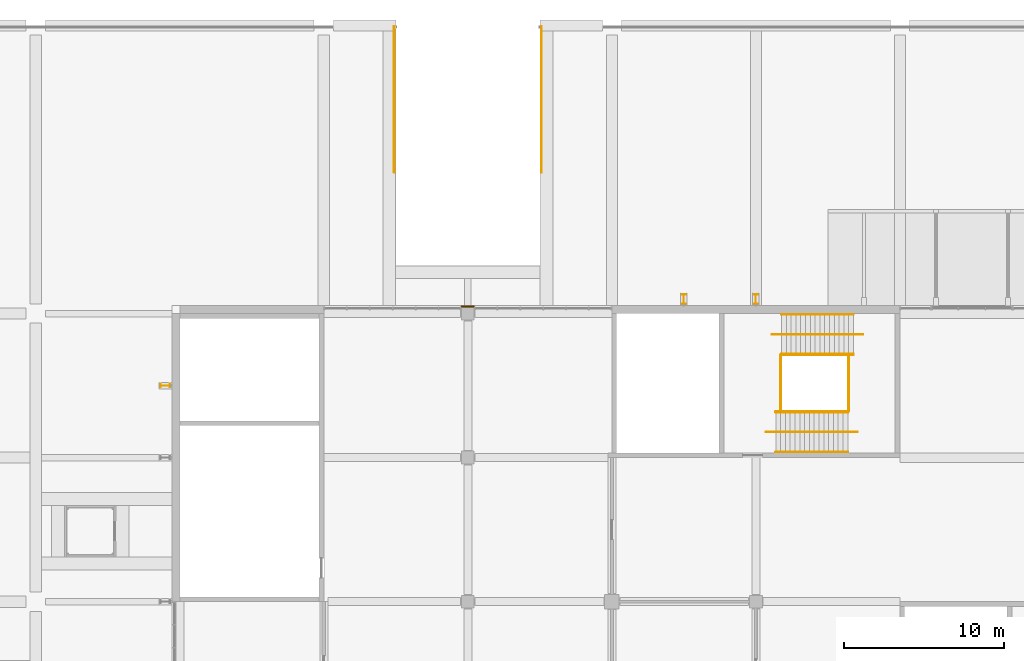
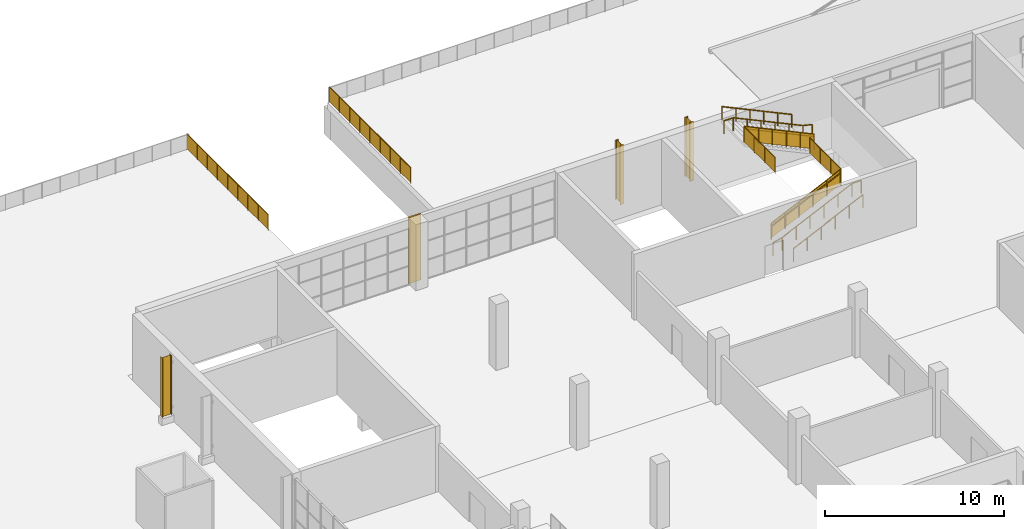
# One storey, part 160 of 168: 12 railings, 3 shading devices, 1 covering.
"""IFC4 building model written with IfcOpenShell, lengths in metres."""

from ifc_helpers import new_model, si_unit, direction, frame, origin, origin_2d, place, context, subcontext, project, spatial, polyline, circle, i_section, outline, extrude, material, layer, layer_set, material_profile, profile_set, type_object, element, save


model = new_model("IFC4")

# Units and contexts
model_context = context("Model", 3, precision=1e-05, world=origin(), true_north=direction((0.0, 1.0)))
body_context = subcontext(model_context, "Body", "Model", "MODEL_VIEW")
ifc_project = project(units=[si_unit("LENGTHUNIT", "METRE"), si_unit("AREAUNIT", "SQUARE_METRE"), si_unit("VOLUMEUNIT", "CUBIC_METRE"), si_unit("PLANEANGLEUNIT", "RADIAN"), si_unit("MASSUNIT", "GRAM", prefix="KILO")], contexts=[model_context])

# Site, building, storey
site_placement = place(None, origin())
site = spatial("IfcSite", under=ifc_project, at=site_placement, CompositionType="ELEMENT")
building_placement = place(site_placement, origin())
building = spatial("IfcBuilding", under=site, at=building_placement, Name="Silverbay Arena", CompositionType="ELEMENT")
storey_placement = place(building_placement, frame((0.0, 0.0, 7.0)))
storey = spatial("IfcBuildingStorey", under=building, at=storey_placement, Name="L01", CompositionType="ELEMENT", Elevation=7.0)

# Covering
ifc_material_1 = material(Name="Aluminium composite cladding", Category="aluminium")
ifc_layer = layer(ifc_material_1, 0.10009765625)
ifc_layer_set = layer_set([ifc_layer], Name="Aluminium composite cladding")
covering_type = type_object("IfcCoveringType", Name="Column cladding 100", PredefinedType="CLADDING", material=ifc_layer_set)
covering_placement = place(storey_placement, origin())
element("IfcCovering", 1, at=covering_placement, inside=storey, type_object=covering_type, Name="North column cladding L01 60", PredefinedType="CLADDING", context=body_context, shape_type="SweptSolid", body=[
    extrude(outline(polyline([(44.60009765625, 144.39990234375), (45.39990234375, 144.39990234375), (45.39990234375, 144.5), (44.60009765625, 144.5), (44.60009765625, 144.39990234375)])), origin(), (0.0, 0.0, 1.0), 4.5),
])

# Railings
ifc_material_2 = material(Name="Stainless steel", Category="steel")
railing_type_1 = type_object("IfcRailingType", Name="Stair guard 1100", PredefinedType="GUARDRAIL", material=ifc_material_2)
railing_1_placement = place(storey_placement, frame((64.24658203125, 137.875, 0.140625)))
element("IfcRailing", 2, at=railing_1_placement, inside=storey, type_object=railing_type_1, Name="Stair ST-N5 L01 to L02 flight 1 guard right", PredefinedType="GUARDRAIL", context=body_context, shape_type="SweptSolid", body=[
    extrude(circle(Radius=0.02392578125, at=origin_2d()), frame((0.0, 0.0, 1.076171875), z_axis=(0.905458935959, 0.0, 0.424433876231), x_axis=(0.0, 1.0, 0.0)), (0.0, 0.0, 1.0), 4.969970703125),
    extrude(outline(polyline([(-0.008056640625, 0.046142578125), (0.907958984375, 0.4755859375), (0.907958984375, 1.478515625), (-0.008056640625, 1.04931640625), (-0.008056640625, 0.046142578125)])), frame((0.0, 0.0029296875, 0.0), z_axis=(0.0, -1.0, 0.0), x_axis=(1.0, 0.0, 0.0)), (0.0, 0.0, 1.0), 0.006103515625),
    extrude(outline(polyline([(-0.008056640625, 0.468017578125), (0.907958984375, 0.8974609375), (0.907958984375, 1.900390625), (-0.008056640625, 1.47119140625), (-0.008056640625, 0.468017578125)])), frame((0.89990234375, 0.0029296875, 0.0), z_axis=(0.0, -1.0, 0.0), x_axis=(1.0, 0.0, 0.0)), (0.0, 0.0, 1.0), 0.006103515625),
    extrude(outline(polyline([(-0.008056640625, 0.889892578125), (0.907958984375, 1.3193359375), (0.907958984375, 2.322265625), (-0.008056640625, 1.89306640625), (-0.008056640625, 0.889892578125)])), frame((1.800048828125, 0.0029296875, 0.0), z_axis=(0.0, -1.0, 0.0), x_axis=(1.0, 0.0, 0.0)), (0.0, 0.0, 1.0), 0.006103515625),
    extrude(outline(polyline([(-0.008056640625, 1.311767578125), (0.907958984375, 1.7412109375), (0.907958984375, 2.744140625), (-0.008056640625, 2.31494140625), (-0.008056640625, 1.311767578125)])), frame((2.699951171875, 0.0029296875, 0.0), z_axis=(0.0, -1.0, 0.0), x_axis=(1.0, 0.0, 0.0)), (0.0, 0.0, 1.0), 0.006103515625),
    extrude(outline(polyline([(-0.008056640625, 1.733642578125), (0.907958984375, 2.1630859375), (0.907958984375, 3.166015625), (-0.008056640625, 2.73681640625), (-0.008056640625, 1.733642578125)])), frame((3.60009765625, 0.0029296875, 0.0), z_axis=(0.0, -1.0, 0.0), x_axis=(1.0, 0.0, 0.0)), (0.0, 0.0, 1.0), 0.006103515625),
    extrude(circle(Radius=0.02099609375, at=origin_2d()), origin(), (0.0, 0.0, 1.0), 1.052001953125),
    extrude(circle(Radius=0.02099609375, at=origin_2d()), frame((0.89990234375, 0.0, 0.421875)), (0.0, 0.0, 1.0), 1.052001953125),
    extrude(circle(Radius=0.02099609375, at=origin_2d()), frame((1.800048828125, 0.0, 0.84375)), (0.0, 0.0, 1.0), 1.052001953125),
    extrude(circle(Radius=0.02099609375, at=origin_2d()), frame((2.699951171875, 0.0, 1.265625)), (0.0, 0.0, 1.0), 1.052001953125),
    extrude(circle(Radius=0.02099609375, at=origin_2d()), frame((3.60009765625, 0.0, 1.6875)), (0.0, 0.0, 1.0), 1.052001953125),
    extrude(circle(Radius=0.02099609375, at=origin_2d()), frame((4.5, 0.0, 2.109375)), (0.0, 0.0, 1.0), 1.052001953125),
])
railing_2_placement = place(storey_placement, frame((69.10009765625, 141.425048828125, 2.390625)))
element("IfcRailing", 3, at=railing_2_placement, inside=storey, type_object=railing_type_1, Name="Stair ST-N5 L01 to L02 flight 2 guard left", PredefinedType="GUARDRAIL", context=body_context, shape_type="SweptSolid", body=[
    extrude(circle(Radius=0.02392578125, at=origin_2d()), frame((0.0, 0.0, 1.076171875), z_axis=(-0.905458935959, 0.0, 0.424433876231), x_axis=(0.0, -1.0, 0.0)), (0.0, 0.0, 1.0), 4.969970703125),
    extrude(outline(polyline([(-0.008056640625, 0.046142578125), (0.907958984375, 0.4755859375), (0.907958984375, 1.478515625), (-0.008056640625, 1.04931640625), (-0.008056640625, 0.046142578125)])), frame((0.0, -0.0029296875, 0.0), z_axis=(0.0, 1.0, 0.0), x_axis=(-1.0, 0.0, 0.0)), (0.0, 0.0, 1.0), 0.006103515625),
    extrude(outline(polyline([(-0.008056640625, 0.468017578125), (0.907958984375, 0.8974609375), (0.907958984375, 1.900390625), (-0.008056640625, 1.47119140625), (-0.008056640625, 0.468017578125)])), frame((-0.89990234375, -0.0029296875, 0.0), z_axis=(0.0, 1.0, 0.0), x_axis=(-1.0, 0.0, 0.0)), (0.0, 0.0, 1.0), 0.006103515625),
    extrude(outline(polyline([(-0.008056640625, 0.889892578125), (0.907958984375, 1.3193359375), (0.907958984375, 2.322265625), (-0.008056640625, 1.89306640625), (-0.008056640625, 0.889892578125)])), frame((-1.800048828125, -0.0029296875, 0.0), z_axis=(0.0, 1.0, 0.0), x_axis=(-1.0, 0.0, 0.0)), (0.0, 0.0, 1.0), 0.006103515625),
    extrude(outline(polyline([(-0.008056640625, 1.311767578125), (0.907958984375, 1.7412109375), (0.907958984375, 2.744140625), (-0.008056640625, 2.31494140625), (-0.008056640625, 1.311767578125)])), frame((-2.699951171875, -0.0029296875, 0.0), z_axis=(0.0, 1.0, 0.0), x_axis=(-1.0, 0.0, 0.0)), (0.0, 0.0, 1.0), 0.006103515625),
    extrude(outline(polyline([(-0.008056640625, 1.733642578125), (0.907958984375, 2.1630859375), (0.907958984375, 3.166015625), (-0.008056640625, 2.73681640625), (-0.008056640625, 1.733642578125)])), frame((-3.60009765625, -0.0029296875, 0.0), z_axis=(0.0, 1.0, 0.0), x_axis=(-1.0, 0.0, 0.0)), (0.0, 0.0, 1.0), 0.006103515625),
    extrude(circle(Radius=0.02099609375, at=origin_2d()), origin(), (0.0, 0.0, 1.0), 1.052001953125),
    extrude(circle(Radius=0.02099609375, at=origin_2d()), frame((-0.89990234375, 0.0, 0.421875)), (0.0, 0.0, 1.0), 1.052001953125),
    extrude(circle(Radius=0.02099609375, at=origin_2d()), frame((-1.800048828125, 0.0, 0.84375)), (0.0, 0.0, 1.0), 1.052001953125),
    extrude(circle(Radius=0.02099609375, at=origin_2d()), frame((-2.699951171875, 0.0, 1.265625)), (0.0, 0.0, 1.0), 1.052001953125),
    extrude(circle(Radius=0.02099609375, at=origin_2d()), frame((-3.60009765625, 0.0, 1.6875)), (0.0, 0.0, 1.0), 1.052001953125),
    extrude(circle(Radius=0.02099609375, at=origin_2d()), frame((-4.5, 0.0, 2.109375)), (0.0, 0.0, 1.0), 1.052001953125),
])
for number, where, name in (
    (4, (68.796630859375, 137.89990234375, 2.25), "Stair ST-N5 L01 to L02 landing 1 guard"),
    (5, (64.550048828125, 137.89990234375, 4.5), "Stair ST-N5 L01 to L02 landing 2 guard"),
):
    element("IfcRailing", number, at=place(storey_placement, frame(where)), inside=storey, type_object=railing_type_1, Name=name, PredefinedType="GUARDRAIL", context=body_context, shape_type="SweptSolid", body=[
        extrude(circle(Radius=0.02392578125, at=origin_2d()), frame((0.0, 0.0, 1.076171875), z_axis=(0.0, 1.0, 0.0), x_axis=(-1.0, 0.0, 0.0)), (0.0, 0.0, 1.0), 3.5),
        extrude(outline(polyline([(-0.008056640625, 0.050048828125), (1.174560546875, 0.050048828125), (1.174560546875, 1.052978515625), (-0.008056640625, 1.052978515625), (-0.008056640625, 0.050048828125)])), frame((-0.0029296875, 0.0, 0.0), z_axis=(1.0, 0.0, 0.0), x_axis=(0.0, 1.0, 0.0)), (0.0, 0.0, 1.0), 0.006103515625),
        extrude(outline(polyline([(-0.008056640625, 0.050048828125), (1.174560546875, 0.050048828125), (1.174560546875, 1.052978515625), (-0.008056640625, 1.052978515625), (-0.008056640625, 0.050048828125)])), frame((-0.0029296875, 1.166748046875, 0.0), z_axis=(1.0, 0.0, 0.0), x_axis=(0.0, 1.0, 0.0)), (0.0, 0.0, 1.0), 0.006103515625),
        extrude(outline(polyline([(-0.008056640625, 0.050048828125), (1.174560546875, 0.050048828125), (1.174560546875, 1.052978515625), (-0.008056640625, 1.052978515625), (-0.008056640625, 0.050048828125)])), frame((-0.0029296875, 2.333251953125, 0.0), z_axis=(1.0, 0.0, 0.0), x_axis=(0.0, 1.0, 0.0)), (0.0, 0.0, 1.0), 0.006103515625),
        extrude(circle(Radius=0.02099609375, at=origin_2d()), origin(), (0.0, 0.0, 1.0), 1.052001953125),
        extrude(circle(Radius=0.02099609375, at=origin_2d()), frame((0.0, 1.166748046875, 0.0)), (0.0, 0.0, 1.0), 1.052001953125),
        extrude(circle(Radius=0.02099609375, at=origin_2d()), frame((0.0, 2.333251953125, 0.0)), (0.0, 0.0, 1.0), 1.052001953125),
        extrude(circle(Radius=0.02099609375, at=origin_2d()), frame((0.0, 3.5, 0.0)), (0.0, 0.0, 1.0), 1.052001953125),
    ])
railing_3_placement = place(storey_placement, frame((40.39990234375, 161.949951171875, 0.0)))
element("IfcRailing", 6, at=railing_3_placement, inside=storey, type_object=railing_type_1, Name="Deck stair DS4 well edge guard left", PredefinedType="GUARDRAIL", context=body_context, shape_type="SweptSolid", body=[
    extrude(circle(Radius=0.02392578125, at=origin_2d()), frame((0.0, 0.0, 1.076171875), z_axis=(0.0, -1.0, 0.0), x_axis=(1.0, 0.0, 0.0)), (0.0, 0.0, 1.0), 9.112060546875),
    extrude(outline(polyline([(-0.008056640625, 0.050048828125), (1.14697265625, 0.050048828125), (1.14697265625, 1.052978515625), (-0.008056640625, 1.052978515625), (-0.008056640625, 0.050048828125)])), frame((0.0029296875, 0.0, 0.0), z_axis=(-1.0, 0.0, 0.0), x_axis=(0.0, -1.0, 0.0)), (0.0, 0.0, 1.0), 0.006103515625),
    extrude(outline(polyline([(-0.008056640625, 0.050048828125), (1.14697265625, 0.050048828125), (1.14697265625, 1.052978515625), (-0.008056640625, 1.052978515625), (-0.008056640625, 0.050048828125)])), frame((0.0029296875, -1.138916015625, 0.0), z_axis=(-1.0, 0.0, 0.0), x_axis=(0.0, -1.0, 0.0)), (0.0, 0.0, 1.0), 0.006103515625),
    extrude(outline(polyline([(-0.008056640625, 0.050048828125), (1.14697265625, 0.050048828125), (1.14697265625, 1.052978515625), (-0.008056640625, 1.052978515625), (-0.008056640625, 0.050048828125)])), frame((0.0029296875, -2.278076171875, 0.0), z_axis=(-1.0, 0.0, 0.0), x_axis=(0.0, -1.0, 0.0)), (0.0, 0.0, 1.0), 0.006103515625),
    extrude(outline(polyline([(-0.008056640625, 0.050048828125), (1.14697265625, 0.050048828125), (1.14697265625, 1.052978515625), (-0.008056640625, 1.052978515625), (-0.008056640625, 0.050048828125)])), frame((0.0029296875, -3.4169921875, 0.0), z_axis=(-1.0, 0.0, 0.0), x_axis=(0.0, -1.0, 0.0)), (0.0, 0.0, 1.0), 0.006103515625),
    extrude(outline(polyline([(-0.008056640625, 0.050048828125), (1.14697265625, 0.050048828125), (1.14697265625, 1.052978515625), (-0.008056640625, 1.052978515625), (-0.008056640625, 0.050048828125)])), frame((0.0029296875, -4.55615234375, 0.0), z_axis=(-1.0, 0.0, 0.0), x_axis=(0.0, -1.0, 0.0)), (0.0, 0.0, 1.0), 0.006103515625),
    extrude(outline(polyline([(-0.008056640625, 0.050048828125), (1.14697265625, 0.050048828125), (1.14697265625, 1.052978515625), (-0.008056640625, 1.052978515625), (-0.008056640625, 0.050048828125)])), frame((0.0029296875, -5.695068359375, 0.0), z_axis=(-1.0, 0.0, 0.0), x_axis=(0.0, -1.0, 0.0)), (0.0, 0.0, 1.0), 0.006103515625),
    extrude(outline(polyline([(-0.008056640625, 0.050048828125), (1.14697265625, 0.050048828125), (1.14697265625, 1.052978515625), (-0.008056640625, 1.052978515625), (-0.008056640625, 0.050048828125)])), frame((0.0029296875, -6.833984375, 0.0), z_axis=(-1.0, 0.0, 0.0), x_axis=(0.0, -1.0, 0.0)), (0.0, 0.0, 1.0), 0.006103515625),
    extrude(outline(polyline([(-0.008056640625, 0.050048828125), (1.14697265625, 0.050048828125), (1.14697265625, 1.052978515625), (-0.008056640625, 1.052978515625), (-0.008056640625, 0.050048828125)])), frame((0.0029296875, -7.97314453125, 0.0), z_axis=(-1.0, 0.0, 0.0), x_axis=(0.0, -1.0, 0.0)), (0.0, 0.0, 1.0), 0.006103515625),
    extrude(circle(Radius=0.02099609375, at=origin_2d()), origin(), (0.0, 0.0, 1.0), 1.052001953125),
    extrude(circle(Radius=0.02099609375, at=origin_2d()), frame((0.0, -1.138916015625, 0.0)), (0.0, 0.0, 1.0), 1.052001953125),
    extrude(circle(Radius=0.02099609375, at=origin_2d()), frame((0.0, -2.278076171875, 0.0)), (0.0, 0.0, 1.0), 1.052001953125),
    extrude(circle(Radius=0.02099609375, at=origin_2d()), frame((0.0, -3.4169921875, 0.0)), (0.0, 0.0, 1.0), 1.052001953125),
    extrude(circle(Radius=0.02099609375, at=origin_2d()), frame((0.0, -4.55615234375, 0.0)), (0.0, 0.0, 1.0), 1.052001953125),
    extrude(circle(Radius=0.02099609375, at=origin_2d()), frame((0.0, -5.695068359375, 0.0)), (0.0, 0.0, 1.0), 1.052001953125),
    extrude(circle(Radius=0.02099609375, at=origin_2d()), frame((0.0, -6.833984375, 0.0)), (0.0, 0.0, 1.0), 1.052001953125),
    extrude(circle(Radius=0.02099609375, at=origin_2d()), frame((0.0, -7.97314453125, 0.0)), (0.0, 0.0, 1.0), 1.052001953125),
    extrude(circle(Radius=0.02099609375, at=origin_2d()), frame((0.0, -9.112060546875, 0.0)), (0.0, 0.0, 1.0), 1.052001953125),
])
railing_4_placement = place(storey_placement, frame((49.60009765625, 161.949951171875, 0.0)))
element("IfcRailing", 7, at=railing_4_placement, inside=storey, type_object=railing_type_1, Name="Deck stair DS4 well edge guard right", PredefinedType="GUARDRAIL", context=body_context, shape_type="SweptSolid", body=[
    extrude(circle(Radius=0.02392578125, at=origin_2d()), frame((0.0, 0.0, 1.076171875), z_axis=(0.0, -1.0, 0.0), x_axis=(1.0, 0.0, 0.0)), (0.0, 0.0, 1.0), 9.112060546875),
    extrude(outline(polyline([(-0.008056640625, 0.050048828125), (1.14697265625, 0.050048828125), (1.14697265625, 1.052978515625), (-0.008056640625, 1.052978515625), (-0.008056640625, 0.050048828125)])), frame((0.0029296875, 0.0, 0.0), z_axis=(-1.0, 0.0, 0.0), x_axis=(0.0, -1.0, 0.0)), (0.0, 0.0, 1.0), 0.006103515625),
    extrude(outline(polyline([(-0.008056640625, 0.050048828125), (1.14697265625, 0.050048828125), (1.14697265625, 1.052978515625), (-0.008056640625, 1.052978515625), (-0.008056640625, 0.050048828125)])), frame((0.0029296875, -1.138916015625, 0.0), z_axis=(-1.0, 0.0, 0.0), x_axis=(0.0, -1.0, 0.0)), (0.0, 0.0, 1.0), 0.006103515625),
    extrude(outline(polyline([(-0.008056640625, 0.050048828125), (1.14697265625, 0.050048828125), (1.14697265625, 1.052978515625), (-0.008056640625, 1.052978515625), (-0.008056640625, 0.050048828125)])), frame((0.0029296875, -2.278076171875, 0.0), z_axis=(-1.0, 0.0, 0.0), x_axis=(0.0, -1.0, 0.0)), (0.0, 0.0, 1.0), 0.006103515625),
    extrude(outline(polyline([(-0.008056640625, 0.050048828125), (1.14697265625, 0.050048828125), (1.14697265625, 1.052978515625), (-0.008056640625, 1.052978515625), (-0.008056640625, 0.050048828125)])), frame((0.0029296875, -3.4169921875, 0.0), z_axis=(-1.0, 0.0, 0.0), x_axis=(0.0, -1.0, 0.0)), (0.0, 0.0, 1.0), 0.006103515625),
    extrude(outline(polyline([(-0.008056640625, 0.050048828125), (1.14697265625, 0.050048828125), (1.14697265625, 1.052978515625), (-0.008056640625, 1.052978515625), (-0.008056640625, 0.050048828125)])), frame((0.0029296875, -4.55615234375, 0.0), z_axis=(-1.0, 0.0, 0.0), x_axis=(0.0, -1.0, 0.0)), (0.0, 0.0, 1.0), 0.006103515625),
    extrude(outline(polyline([(-0.008056640625, 0.050048828125), (1.14697265625, 0.050048828125), (1.14697265625, 1.052978515625), (-0.008056640625, 1.052978515625), (-0.008056640625, 0.050048828125)])), frame((0.0029296875, -5.695068359375, 0.0), z_axis=(-1.0, 0.0, 0.0), x_axis=(0.0, -1.0, 0.0)), (0.0, 0.0, 1.0), 0.006103515625),
    extrude(outline(polyline([(-0.008056640625, 0.050048828125), (1.14697265625, 0.050048828125), (1.14697265625, 1.052978515625), (-0.008056640625, 1.052978515625), (-0.008056640625, 0.050048828125)])), frame((0.0029296875, -6.833984375, 0.0), z_axis=(-1.0, 0.0, 0.0), x_axis=(0.0, -1.0, 0.0)), (0.0, 0.0, 1.0), 0.006103515625),
    extrude(outline(polyline([(-0.008056640625, 0.050048828125), (1.14697265625, 0.050048828125), (1.14697265625, 1.052978515625), (-0.008056640625, 1.052978515625), (-0.008056640625, 0.050048828125)])), frame((0.0029296875, -7.97314453125, 0.0), z_axis=(-1.0, 0.0, 0.0), x_axis=(0.0, -1.0, 0.0)), (0.0, 0.0, 1.0), 0.006103515625),
    extrude(circle(Radius=0.02099609375, at=origin_2d()), origin(), (0.0, 0.0, 1.0), 1.052001953125),
    extrude(circle(Radius=0.02099609375, at=origin_2d()), frame((0.0, -1.138916015625, 0.0)), (0.0, 0.0, 1.0), 1.052001953125),
    extrude(circle(Radius=0.02099609375, at=origin_2d()), frame((0.0, -2.278076171875, 0.0)), (0.0, 0.0, 1.0), 1.052001953125),
    extrude(circle(Radius=0.02099609375, at=origin_2d()), frame((0.0, -3.4169921875, 0.0)), (0.0, 0.0, 1.0), 1.052001953125),
    extrude(circle(Radius=0.02099609375, at=origin_2d()), frame((0.0, -4.55615234375, 0.0)), (0.0, 0.0, 1.0), 1.052001953125),
    extrude(circle(Radius=0.02099609375, at=origin_2d()), frame((0.0, -5.695068359375, 0.0)), (0.0, 0.0, 1.0), 1.052001953125),
    extrude(circle(Radius=0.02099609375, at=origin_2d()), frame((0.0, -6.833984375, 0.0)), (0.0, 0.0, 1.0), 1.052001953125),
    extrude(circle(Radius=0.02099609375, at=origin_2d()), frame((0.0, -7.97314453125, 0.0)), (0.0, 0.0, 1.0), 1.052001953125),
    extrude(circle(Radius=0.02099609375, at=origin_2d()), frame((0.0, -9.112060546875, 0.0)), (0.0, 0.0, 1.0), 1.052001953125),
])
ifc_material_3 = material(Name="Stainless steel", Category="steel")
railing_type_2 = type_object("IfcRailingType", Name="Stair handrail 900", PredefinedType="HANDRAIL", material=ifc_material_3)
for number, where, name in (
    (8, (64.24658203125, 135.35009765625, 0.140625), "Stair ST-N5 L01 to L02 flight 1 handrail left"),
    (9, (64.24658203125, 137.8359375, 0.140625), "Stair ST-N5 L01 to L02 flight 1 handrail right"),
):
    element("IfcRailing", number, at=place(storey_placement, frame(where)), inside=storey, type_object=railing_type_2, Name=name, PredefinedType="HANDRAIL", context=body_context, shape_type="SweptSolid", body=[
        extrude(circle(Radius=0.02392578125, at=origin_2d()), frame((0.0, 0.0, 0.8759765625), z_axis=(0.905458935959, 0.0, 0.424433876231), x_axis=(0.0, 1.0, 0.0)), (0.0, 0.0, 1.0), 4.969970703125),
        extrude(circle(Radius=0.02099609375, at=origin_2d()), origin(), (0.0, 0.0, 1.0), 0.851806640625),
        extrude(circle(Radius=0.02099609375, at=origin_2d()), frame((0.89990234375, 0.0, 0.421875)), (0.0, 0.0, 1.0), 0.851806640625),
        extrude(circle(Radius=0.02099609375, at=origin_2d()), frame((1.800048828125, 0.0, 0.84375)), (0.0, 0.0, 1.0), 0.851806640625),
        extrude(circle(Radius=0.02099609375, at=origin_2d()), frame((2.699951171875, 0.0, 1.265625)), (0.0, 0.0, 1.0), 0.851806640625),
        extrude(circle(Radius=0.02099609375, at=origin_2d()), frame((3.60009765625, 0.0, 1.6875)), (0.0, 0.0, 1.0), 0.851806640625),
        extrude(circle(Radius=0.02099609375, at=origin_2d()), frame((4.5, 0.0, 2.109375)), (0.0, 0.0, 1.0), 0.851806640625),
    ])
railing_5_placement = place(storey_placement, frame((63.646484375, 136.60009765625, 0.0)))
element("IfcRailing", 10, at=railing_5_placement, inside=storey, type_object=railing_type_2, Name="Stair ST-N5 L01 to L02 flight 1 central handrail", PredefinedType="HANDRAIL", context=body_context, shape_type="SweptSolid", body=[
    extrude(circle(Radius=0.02392578125, at=origin_2d()), frame((0.0, 0.0, 0.8759765625), z_axis=(0.973624560196, 0.0, 0.228156121511), x_axis=(0.0, 1.0, 0.0)), (0.0, 0.0, 1.0), 0.616455078125),
    extrude(circle(Radius=0.02392578125, at=origin_2d()), frame((0.60009765625, 0.0, 1.0166015625), z_axis=(0.905458935959, 0.0, 0.424433876231), x_axis=(0.0, 1.0, 0.0)), (0.0, 0.0, 1.0), 4.969970703125),
    extrude(circle(Radius=0.02392578125, at=origin_2d()), frame((5.10009765625, 0.0, 3.1259765625), z_axis=(1.0, 0.0, 0.0), x_axis=(0.0, 1.0, 0.0)), (0.0, 0.0, 1.0), 0.60009765625),
    extrude(circle(Radius=0.02099609375, at=origin_2d()), origin(), (0.0, 0.0, 1.0), 0.851806640625),
    extrude(circle(Radius=0.02099609375, at=origin_2d()), frame((0.60009765625, 0.0, 0.140625)), (0.0, 0.0, 1.0), 0.851806640625),
    extrude(circle(Radius=0.02099609375, at=origin_2d()), frame((1.5, 0.0, 0.5625)), (0.0, 0.0, 1.0), 0.851806640625),
    extrude(circle(Radius=0.02099609375, at=origin_2d()), frame((2.400146484375, 0.0, 0.984375)), (0.0, 0.0, 1.0), 0.851806640625),
    extrude(circle(Radius=0.02099609375, at=origin_2d()), frame((3.300048828125, 0.0, 1.40625)), (0.0, 0.0, 1.0), 0.851806640625),
    extrude(circle(Radius=0.02099609375, at=origin_2d()), frame((4.2001953125, 0.0, 1.828125)), (0.0, 0.0, 1.0), 0.851806640625),
    extrude(circle(Radius=0.02099609375, at=origin_2d()), frame((5.10009765625, 0.0, 2.25)), (0.0, 0.0, 1.0), 0.851806640625),
    extrude(circle(Radius=0.02099609375, at=origin_2d()), frame((5.7001953125, 0.0, 2.25)), (0.0, 0.0, 1.0), 0.851806640625),
])
for number, where, name in (
    (11, (69.10009765625, 141.464111328125, 2.390625), "Stair ST-N5 L01 to L02 flight 2 handrail left"),
    (12, (69.10009765625, 143.949951171875, 2.390625), "Stair ST-N5 L01 to L02 flight 2 handrail right"),
):
    element("IfcRailing", number, at=place(storey_placement, frame(where)), inside=storey, type_object=railing_type_2, Name=name, PredefinedType="HANDRAIL", context=body_context, shape_type="SweptSolid", body=[
        extrude(circle(Radius=0.02392578125, at=origin_2d()), frame((0.0, 0.0, 0.8759765625), z_axis=(-0.905458935959, 0.0, 0.424433876231), x_axis=(0.0, -1.0, 0.0)), (0.0, 0.0, 1.0), 4.969970703125),
        extrude(circle(Radius=0.02099609375, at=origin_2d()), origin(), (0.0, 0.0, 1.0), 0.851806640625),
        extrude(circle(Radius=0.02099609375, at=origin_2d()), frame((-0.89990234375, 0.0, 0.421875)), (0.0, 0.0, 1.0), 0.851806640625),
        extrude(circle(Radius=0.02099609375, at=origin_2d()), frame((-1.800048828125, 0.0, 0.84375)), (0.0, 0.0, 1.0), 0.851806640625),
        extrude(circle(Radius=0.02099609375, at=origin_2d()), frame((-2.699951171875, 0.0, 1.265625)), (0.0, 0.0, 1.0), 0.851806640625),
        extrude(circle(Radius=0.02099609375, at=origin_2d()), frame((-3.60009765625, 0.0, 1.6875)), (0.0, 0.0, 1.0), 0.851806640625),
        extrude(circle(Radius=0.02099609375, at=origin_2d()), frame((-4.5, 0.0, 2.109375)), (0.0, 0.0, 1.0), 0.851806640625),
    ])
railing_6_placement = place(storey_placement, frame((69.699951171875, 142.699951171875, 2.25)))
element("IfcRailing", 13, at=railing_6_placement, inside=storey, type_object=railing_type_2, Name="Stair ST-N5 L01 to L02 flight 2 central handrail", PredefinedType="HANDRAIL", context=body_context, shape_type="SweptSolid", body=[
    extrude(circle(Radius=0.02392578125, at=origin_2d()), frame((0.0, 0.0, 0.8759765625), z_axis=(-0.973603928963, 0.0, 0.228244144519), x_axis=(0.0, -1.0, 0.0)), (0.0, 0.0, 1.0), 0.6162109375),
    extrude(circle(Radius=0.02392578125, at=origin_2d()), frame((-0.599853515625, 0.0, 1.0166015625), z_axis=(-0.905458935959, 0.0, 0.424433876231), x_axis=(0.0, -1.0, 0.0)), (0.0, 0.0, 1.0), 4.969970703125),
    extrude(circle(Radius=0.02392578125, at=origin_2d()), frame((-5.099853515625, 0.0, 3.1259765625), z_axis=(-1.0, 0.0, 0.0), x_axis=(0.0, -1.0, 0.0)), (0.0, 0.0, 1.0), 0.60009765625),
    extrude(circle(Radius=0.02099609375, at=origin_2d()), origin(), (0.0, 0.0, 1.0), 0.851806640625),
    extrude(circle(Radius=0.02099609375, at=origin_2d()), frame((-0.599853515625, 0.0, 0.140625)), (0.0, 0.0, 1.0), 0.851806640625),
    extrude(circle(Radius=0.02099609375, at=origin_2d()), frame((-1.499755859375, 0.0, 0.5625)), (0.0, 0.0, 1.0), 0.851806640625),
    extrude(circle(Radius=0.02099609375, at=origin_2d()), frame((-2.39990234375, 0.0, 0.984375)), (0.0, 0.0, 1.0), 0.851806640625),
    extrude(circle(Radius=0.02099609375, at=origin_2d()), frame((-3.2998046875, 0.0, 1.40625)), (0.0, 0.0, 1.0), 0.851806640625),
    extrude(circle(Radius=0.02099609375, at=origin_2d()), frame((-4.199951171875, 0.0, 1.828125)), (0.0, 0.0, 1.0), 0.851806640625),
    extrude(circle(Radius=0.02099609375, at=origin_2d()), frame((-5.099853515625, 0.0, 2.25)), (0.0, 0.0, 1.0), 0.851806640625),
    extrude(circle(Radius=0.02099609375, at=origin_2d()), frame((-5.699951171875, 0.0, 2.25)), (0.0, 0.0, 1.0), 0.851806640625),
])

# Shading devices
ifc_material_4 = material(Name="Steel S355", Category="steel")
ifc_material_profile = material_profile(ifc_material_4, i_section(OverallWidth=0.2275390625, OverallDepth=0.6025390625, WebThickness=0.010498046875, FlangeThickness=0.014892578125, at=origin_2d()), Name="UB 610x229x101")
ifc_profile_set = profile_set([ifc_material_profile], Name="Steel S355")
shading_device_type = type_object("IfcShadingDeviceType", Name="Steel fin UB 610x229x101", PredefinedType="USERDEFINED", material=ifc_profile_set)
for number, where, z_axis, x_axis, name in (
    (14, (58.5, 144.9013671875, 0.449951171875), (0.0, 0.0, 1.0), (1.0, 0.0, 0.0), "Steel fin N L01 1"),
    (15, (63.0, 144.9013671875, 0.449951171875), (0.0, 0.0, 1.0), (1.0, 0.0, 0.0), "Steel fin N L01 2"),
    (16, (26.0986328125, 139.5, 0.449951171875), (0.0, 0.0, 1.0), (0.0, 1.0, 0.0), "Steel fin W L01 27"),
):
    element("IfcShadingDevice", number, at=place(storey_placement, frame(where, z_axis=z_axis, x_axis=x_axis)), inside=storey, type_object=shading_device_type, Name=name, ObjectType="FIN", PredefinedType="USERDEFINED", context=body_context, shape_type="SweptSolid", body=[
        extrude(i_section(OverallWidth=0.2275390625, OverallDepth=0.6025390625, WebThickness=0.010498046875, FlangeThickness=0.014892578125, at=origin_2d()), origin(), (0.0, 0.0, 1.0), 4.050048828125),
    ])

save(model, "model.ifc")
